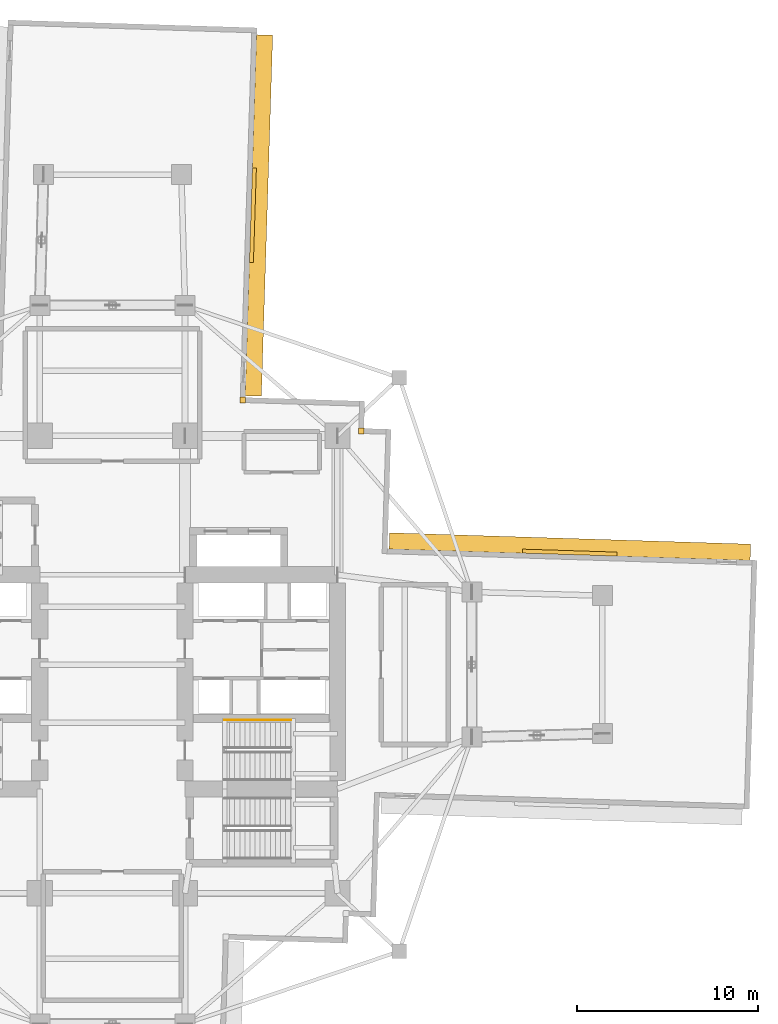
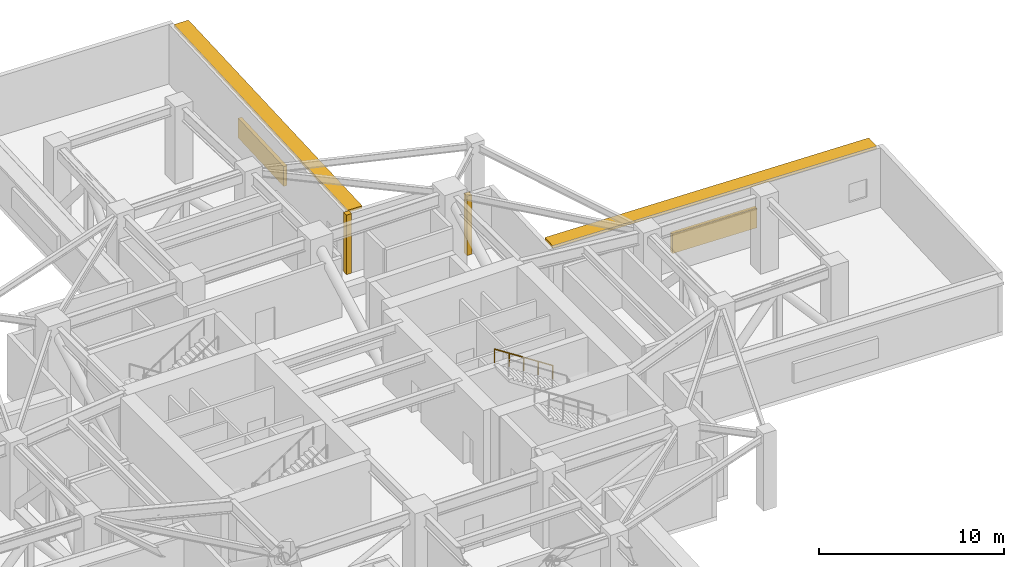
# One storey, part 17 of 17: 4 shading devices, 2 coverings, 1 railing.
"""IFC4 building model written with IfcOpenShell, lengths in metres."""

from ifc_helpers import new_model, si_unit, direction, frame, origin, origin_2d, place, context, subcontext, project, spatial, rectangle, circle, extrude, material, layer, layer_set, type_object, element, save


model = new_model("IFC4")

# Units and contexts
model_context = context("Model", 3, precision=1e-05, world=origin(), true_north=direction((0.0, 1.0)))
body_context = subcontext(model_context, "Body", "Model", "MODEL_VIEW")
ifc_project = project(units=[si_unit("LENGTHUNIT", "METRE"), si_unit("AREAUNIT", "SQUARE_METRE"), si_unit("VOLUMEUNIT", "CUBIC_METRE"), si_unit("PLANEANGLEUNIT", "RADIAN"), si_unit("MASSUNIT", "GRAM", prefix="KILO")], contexts=[model_context])

# Site, building, storey
site_placement = place(None, origin())
site = spatial("IfcSite", under=ifc_project, at=site_placement, CompositionType="ELEMENT")
building_placement = place(site_placement, origin())
building = spatial("IfcBuilding", under=site, at=building_placement, Name="Qingluan Cross Belvedere", CompositionType="ELEMENT")
storey_placement = place(building_placement, frame((0.0, 0.0, 95.10009765625)))
storey = spatial("IfcBuildingStorey", under=building, at=storey_placement, Name="L24", CompositionType="ELEMENT", Elevation=95.10009765625)

# Coverings
ifc_material_1 = material(Name="Precast concrete C45", Category="concrete")
ifc_layer_1 = layer(ifc_material_1, 0.1201171875, Name="ConcreteSpandrelCladding_120")
ifc_layer_set_1 = layer_set([ifc_layer_1], Name="Precast concrete C45")
covering_type = type_object("IfcCoveringType", Name="ConcreteSpandrelCladding_120", PredefinedType="CLADDING", material=ifc_layer_set_1)
for number, where, z_axis, x_axis, name in (
    (1, (13.711181640625, 12.875732421875, 0.0), (0.0, 0.0, 1.0), (0.999506560366, -0.031410759078, 0.0), "Corner closure L24-NE1"),
    (2, (7.181640625, 14.58154296875, 0.0), (0.0, 0.0, 1.0), (0.999506560366, -0.031410759078, 0.0), "Corner closure L24-NE2"),
):
    element("IfcCovering", number, at=place(storey_placement, frame(where, z_axis=z_axis, x_axis=x_axis)), inside=storey, type_object=covering_type, Name=name, PredefinedType="CLADDING", context=body_context, shape_type="SweptSolid", body=[
        extrude(rectangle(XDim=0.320068359375, YDim=0.320068359375, at=origin_2d()), origin(), (0.0, 0.0, 1.0), 3.929931640625),
    ])

# Shading devices
ifc_material_2 = material(Name="Precast concrete C45", Category="concrete")
ifc_layer_2 = layer(ifc_material_2, 0.159912109375, Name="ConcreteSunshadeBand_900")
ifc_layer_set_2 = layer_set([ifc_layer_2], Name="Precast concrete C45")
shading_device_type_1 = type_object("IfcShadingDeviceType", Name="ConcreteSunshadeBand_900", PredefinedType="USERDEFINED", material=ifc_layer_set_2)
for number, where, z_axis, x_axis, name in (
    (3, (25.206787109375, 6.50146484375, 3.75), (0.0, 0.0, 1.0), (-0.999506649124, 0.031407934627, 0.0), "Concrete SUNSHADE L24-EB"),
    (4, (8.0712890625, 24.74853515625, 3.75), (0.0, 0.0, 1.0), (0.031407934627, 0.999506649124, 0.0), "Concrete SUNSHADE L24-NA"),
):
    element("IfcShadingDevice", number, at=place(storey_placement, frame(where, z_axis=z_axis, x_axis=x_axis)), inside=storey, type_object=shading_device_type_1, Name=name, ObjectType="SUNSHADE", PredefinedType="USERDEFINED", context=body_context, shape_type="SweptSolid", body=[
        extrude(rectangle(XDim=19.89990234375, YDim=0.89990234375, at=origin_2d()), origin(), (0.0, 0.0, 1.0), 0.159912109375),
    ])
ifc_material_3 = material(Name="Anodised aluminium acoustic louvre screen", Category="aluminium")
ifc_layer_3 = layer(ifc_material_3, 0.219970703125, Name="RefugeAcousticLouvre_Screen")
ifc_layer_set_3 = layer_set([ifc_layer_3], Name="Anodised aluminium acoustic louvre screen")
shading_device_type_2 = type_object("IfcShadingDeviceType", Name="RefugeAcousticLouvre_Screen", PredefinedType="JALOUSIE", material=ifc_layer_set_3)
for number, where, z_axis, x_axis, name in (
    (5, (25.1962890625, 6.171630859375, 0.94970703125), (0.0, 0.0, 1.0), (-0.999506649124, 0.031407934627, 0.0), "Plant acoustic louvre SCREEN L24-EB"),
    (6, (7.741455078125, 24.759033203125, 0.94970703125), (0.0, 0.0, 1.0), (0.031407934627, 0.999506649124, 0.0), "Plant acoustic louvre SCREEN L24-NA"),
):
    element("IfcShadingDevice", number, at=place(storey_placement, frame(where, z_axis=z_axis, x_axis=x_axis)), inside=storey, type_object=shading_device_type_2, Name=name, PredefinedType="JALOUSIE", context=body_context, shape_type="SweptSolid", body=[
        extrude(rectangle(XDim=5.199951171875, YDim=0.219970703125, at=origin_2d()), origin(), (0.0, 0.0, 1.0), 1.300048828125),
    ])

# Railing
ifc_material_4 = material(Name="Brushed stainless steel tubular handrail", Category="steel")
railing_type = type_object("IfcRailingType", Name="StairPitchHandrail_900", PredefinedType="HANDRAIL", material=ifc_material_4)
railing_placement = place(storey_placement, frame((9.820068359375, -3.050048828125, 2.73193359375)))
element("IfcRailing", 7, at=railing_placement, inside=storey, type_object=railing_type, Name="L24 ST2 stair handrail 2", PredefinedType="HANDRAIL", context=body_context, shape_type="SweptSolid", body=[
    extrude(circle(Radius=0.02392578125, at=origin_2d()), frame((0.0, 0.0, 0.8759765625), z_axis=(-0.83825089185, 0.0, 0.545284735081), x_axis=(0.0, -1.0, 0.0)), (0.0, 0.0, 1.0), 4.342529296875),
    extrude(circle(Radius=0.02099609375, at=origin_2d()), origin(), (0.0, 0.0, 1.0), 0.851806640625),
    extrude(circle(Radius=0.02099609375, at=origin_2d()), frame((-0.91015625, 0.0, 0.592041015625)), (0.0, 0.0, 1.0), 0.851806640625),
    extrude(circle(Radius=0.02099609375, at=origin_2d()), frame((-1.820068359375, 0.0, 1.18408203125)), (0.0, 0.0, 1.0), 0.851806640625),
    extrude(circle(Radius=0.02099609375, at=origin_2d()), frame((-2.72998046875, 0.0, 1.77587890625)), (0.0, 0.0, 1.0), 0.851806640625),
    extrude(circle(Radius=0.02099609375, at=origin_2d()), frame((-3.64013671875, 0.0, 2.367919921875)), (0.0, 0.0, 1.0), 0.851806640625),
])

save(model, "model.ifc")
